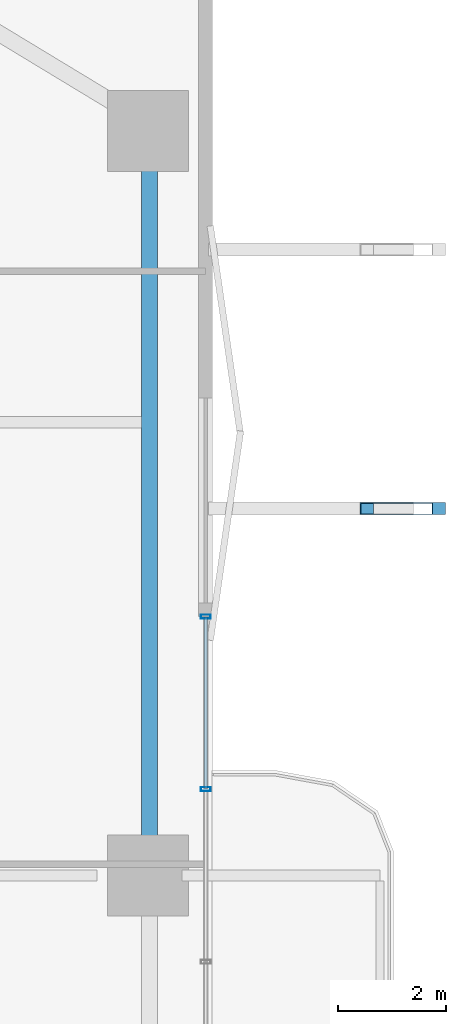
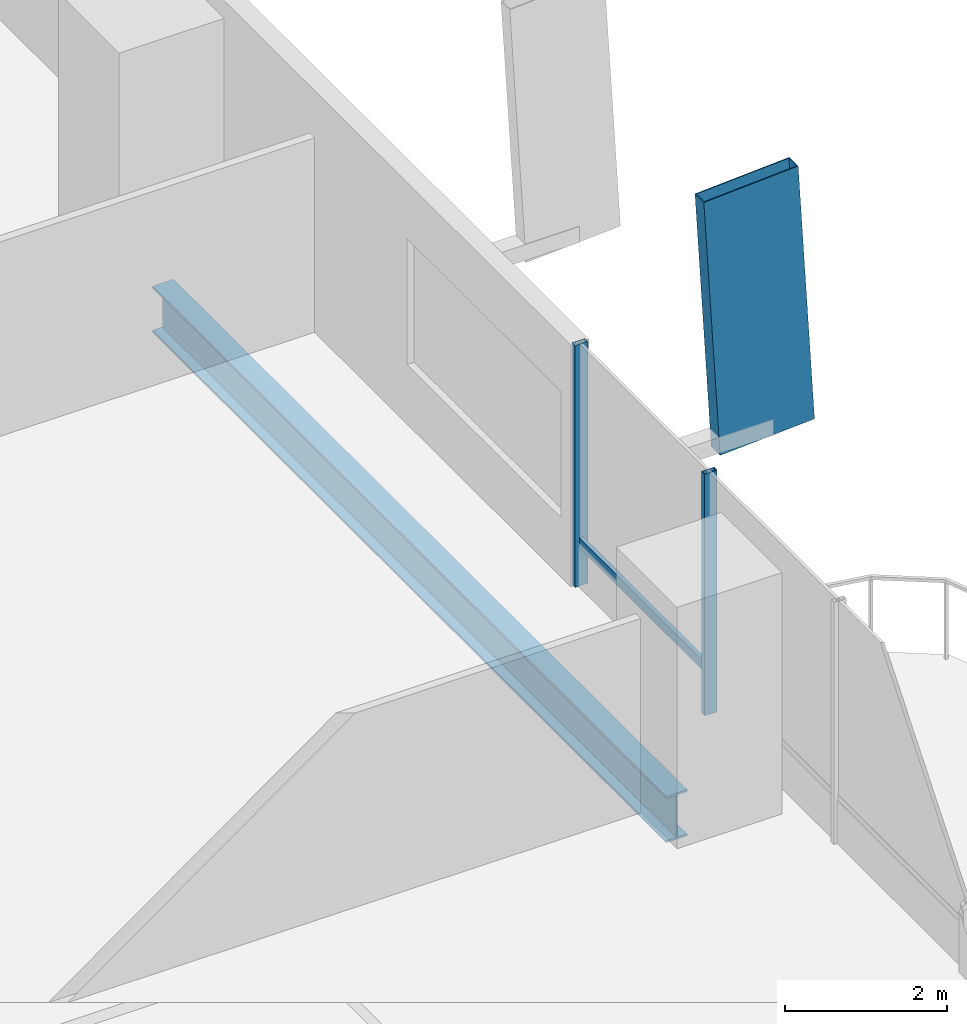
# One storey, part 19 of 30: 4 members, 1 beam, 1 element without a shape of its own.
"""IFC4 building model written with IfcOpenShell, lengths in metres."""

from ifc_helpers import new_model, si_unit, direction, frame, origin, origin_2d, place, context, subcontext, project, spatial, hollow_rectangle, i_section, extrude, material, layer, layer_set, material_profile, profile_set, type_object, element, aggregate, save


model = new_model("IFC4")

# Units and contexts
model_context = context("Model", 3, precision=1e-05, world=origin(), true_north=direction((0.0, 1.0)))
body_context = subcontext(model_context, "Body", "Model", "MODEL_VIEW")
ifc_project = project(units=[si_unit("LENGTHUNIT", "METRE"), si_unit("AREAUNIT", "SQUARE_METRE"), si_unit("VOLUMEUNIT", "CUBIC_METRE"), si_unit("PLANEANGLEUNIT", "RADIAN"), si_unit("MASSUNIT", "GRAM", prefix="KILO")], contexts=[model_context])

# Site, building, storey
site_placement = place(None, origin())
site = spatial("IfcSite", under=ifc_project, at=site_placement, CompositionType="ELEMENT")
building_placement = place(site_placement, origin())
building = spatial("IfcBuilding", under=site, at=building_placement, Name="Belovzor Exchange Tower", CompositionType="ELEMENT")
storey_placement = place(building_placement, frame((0.0, 0.0, 30.0)))
storey = spatial("IfcBuildingStorey", under=building, at=storey_placement, Name="L06", CompositionType="ELEMENT", Elevation=30.0)

# Member
ifc_material_1 = material(Name="Extruded Architectural Terracotta on Steel S355 Carrier", Category="masonry")
ifc_material_profile_1 = material_profile(ifc_material_1, hollow_rectangle(XDim=0.219970703125, YDim=1.35009765625, WallThickness=0.013916015625, at=origin_2d()))
ifc_profile_set_1 = profile_set([ifc_material_profile_1], Name="Extruded Architectural Terracotta on Steel S355 Carrier")
member_type_1 = type_object("IfcMemberType", Name="Base Arc Sweeping Terracotta Pylon Fin 1450", PredefinedType="USERDEFINED", material=ifc_profile_set_1)
member_1_placement = place(storey_placement, frame((60.3369140625, 35.60009765625, -0.25), z_axis=(-0.059615826389, 0.0, 0.998221394904), x_axis=(0.0, -1.0, 0.0)))
element("IfcMember", 1, at=member_1_placement, inside=storey, type_object=member_type_1, Name="FIN-TC145 Terracotta Facade Fin L06 E3", ObjectType="FIN", PredefinedType="USERDEFINED", context=body_context, shape_type="SweptSolid", body=[
    extrude(hollow_rectangle(XDim=0.219970703125, YDim=1.35009765625, WallThickness=0.013916015625, at=origin_2d()), origin(), (0.0, 0.0, 1.0), 3.90673828125),
])

# Curtain wall, members
ifc_material_2 = material(Name="Anodised Aluminium Framing", Category="aluminium")
ifc_layer = layer(ifc_material_2, 0.179931640625)
ifc_layer_set = layer_set([ifc_layer], Name="Anodised Aluminium Framing")
curtain_wall_type = type_object("IfcCurtainWallType", Name="Recessed Loggia Low-Iron Triple-Glazed Curtain Wall", PredefinedType="NOTDEFINED", material=ifc_layer_set)
curtain_wall_placement = place(storey_placement, origin())
curtain_wall = element("IfcCurtainWall", 2, at=curtain_wall_placement, inside=storey, type_object=curtain_wall_type, Name="CW3 Recessed Loggia Low-Iron Triple-Glazed Curtain Wall L06", PredefinedType="NOTDEFINED")
ifc_material_3 = material(Name="Steel S355", Category="steel")
ifc_material_profile_2 = material_profile(ifc_material_3, hollow_rectangle(XDim=0.074951171875, YDim=0.179931640625, WallThickness=0.0048828125, at=origin_2d()))
ifc_profile_set_2 = profile_set([ifc_material_profile_2], Name="Steel S355")
member_type_2 = type_object("IfcMemberType", Name="Thermally Broken Curtain Wall Mullion 180x75", PredefinedType="MULLION", material=ifc_profile_set_2)
member_2_placement = place(storey_placement, frame((56.570068359375, 33.60009765625, 0.0), z_axis=(0.0, 0.0, 1.0), x_axis=(0.0, -1.0, 0.0)))
member_2 = element("IfcMember", 3, at=member_2_placement, type_object=member_type_2, Name="CW-M180 Curtain Wall Mullion 1", PredefinedType="MULLION", context=body_context, shape_type="SweptSolid", body=[
    extrude(hollow_rectangle(XDim=0.074951171875, YDim=0.179931640625, WallThickness=0.0048828125, at=origin_2d()), origin(), (0.0, 0.0, 1.0), 3.64990234375),
])
member_3_placement = place(storey_placement, frame((56.570068359375, 30.39990234375, 0.0), z_axis=(0.0, 0.0, 1.0), x_axis=(0.0, -1.0, 0.0)))
member_3 = element("IfcMember", 4, at=member_3_placement, type_object=member_type_2, Name="CW-M180 Curtain Wall Mullion 2", PredefinedType="MULLION", context=body_context, shape_type="SweptSolid", body=[
    extrude(hollow_rectangle(XDim=0.074951171875, YDim=0.179931640625, WallThickness=0.0048828125, at=origin_2d()), origin(), (0.0, 0.0, 1.0), 3.64990234375),
])
ifc_material_4 = material(Name="Steel S355", Category="steel")
ifc_material_profile_3 = material_profile(ifc_material_4, hollow_rectangle(XDim=0.06005859375, YDim=0.14990234375, WallThickness=0.00390625, at=origin_2d()))
ifc_profile_set_3 = profile_set([ifc_material_profile_3], Name="Steel S355")
member_type_3 = type_object("IfcMemberType", Name="Thermally Broken Curtain Wall Transom 150x60", PredefinedType="USERDEFINED", material=ifc_profile_set_3)
member_4_placement = place(storey_placement, frame((56.570068359375, 33.592041015625, 0.64990234375), z_axis=(0.0, -1.0, 0.0), x_axis=(1.0, 0.0, 0.0)))
member_4 = element("IfcMember", 5, at=member_4_placement, type_object=member_type_3, Name="CW-T150 Curtain Wall Transom 1", ObjectType="TRANSOM", PredefinedType="USERDEFINED", context=body_context, shape_type="SweptSolid", body=[
    extrude(hollow_rectangle(XDim=0.06005859375, YDim=0.14990234375, WallThickness=0.00390625, at=origin_2d()), origin(), (0.0, 0.0, 1.0), 3.18408203125),
])
aggregate(curtain_wall, [member_2, member_3, member_4])

# Beam
ifc_material_5 = material(Name="Steel S355", Category="steel")
ifc_material_profile_4 = material_profile(ifc_material_5, i_section(OverallWidth=0.300048828125, OverallDepth=0.699951171875, WebThickness=0.01708984375, FlangeThickness=0.031982421875, at=origin_2d()))
ifc_profile_set_4 = profile_set([ifc_material_profile_4], Name="Steel S355")
beam_type = type_object("IfcBeamType", Name="Zone 1 Primary Perimeter Girder HEB 700", PredefinedType="BEAM", material=ifc_profile_set_4)
beam_placement = place(storey_placement, frame((55.530029296875, 29.405029296875, -0.60009765625), z_axis=(0.0, 1.0, 0.0), x_axis=(-1.0, 0.0, 0.0)))
element("IfcBeam", 6, at=beam_placement, inside=storey, type_object=beam_type, Name="FG-Z1 Zone 1 Primary Perimeter Girder HEB 700", PredefinedType="BEAM", context=body_context, shape_type="SweptSolid", body=[
    extrude(i_section(OverallWidth=0.300048828125, OverallDepth=0.699951171875, WebThickness=0.01708984375, FlangeThickness=0.031982421875, at=origin_2d()), origin(), (0.0, 0.0, 1.0), 12.7099609375),
])

save(model, "model.ifc")
